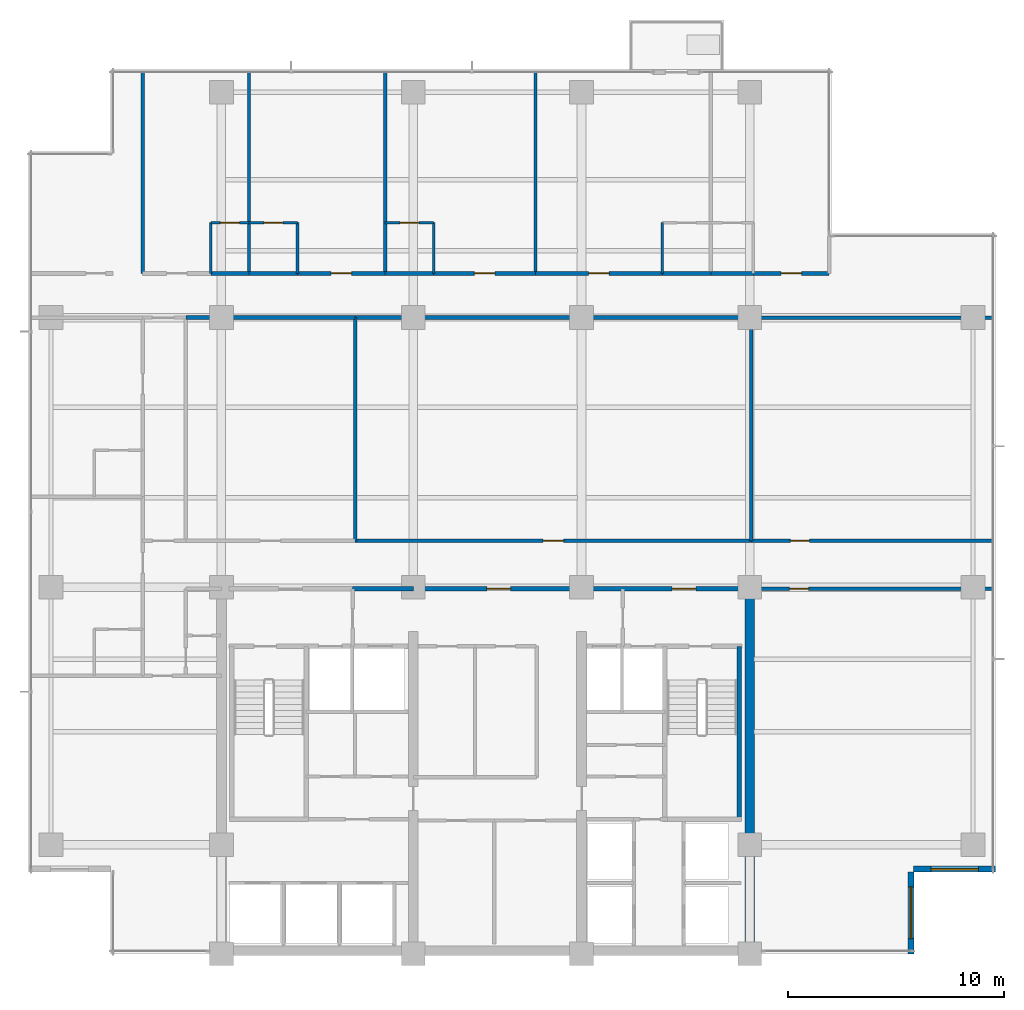
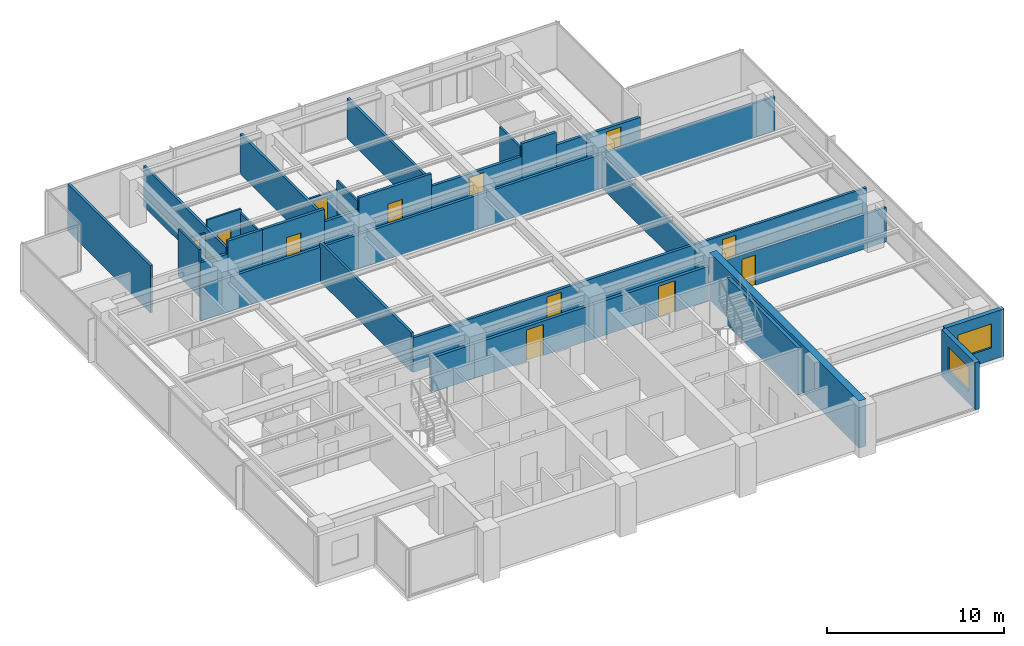
# One storey, part 9 of 15: 35 walls, 12 doors, 2 windows, 14 openings.
"""IFC4 building model written with IfcOpenShell, lengths in metres."""

from ifc_helpers import new_model, si_unit, direction, frame, frame_2d, origin, place, context, subcontext, project, spatial, rectangle, extrude, material, layer, layer_set, type_object, element, fill, save


model = new_model("IFC4")

# Units and contexts
model_context = context("Model", 3, precision=1e-05, world=origin(), true_north=direction((0.0, 1.0)))
body_context = subcontext(model_context, "Body", "Model", "MODEL_VIEW")
ifc_project = project(units=[si_unit("LENGTHUNIT", "METRE"), si_unit("AREAUNIT", "SQUARE_METRE"), si_unit("VOLUMEUNIT", "CUBIC_METRE"), si_unit("PLANEANGLEUNIT", "RADIAN"), si_unit("MASSUNIT", "GRAM", prefix="KILO")], contexts=[model_context])

# Site, building, storey
site_placement = place(None, origin())
site = spatial("IfcSite", under=ifc_project, at=site_placement, CompositionType="ELEMENT")
building_placement = place(site_placement, origin())
building = spatial("IfcBuilding", under=site, at=building_placement, Name="Qalmaran Belvedere Hotel", CompositionType="ELEMENT")
storey_placement = place(building_placement, frame((0.0, 0.0, 173.60009765625)))
storey = spatial("IfcBuildingStorey", under=building, at=storey_placement, Name="L44", CompositionType="ELEMENT", Elevation=173.60009765625)

# Wall
ifc_material_1 = material(Name="Concrete C50/60", Category="concrete")
ifc_layer_1 = layer(ifc_material_1, 0.449951171875, Name="Concrete C50/60")
ifc_layer_set_1 = layer_set([ifc_layer_1], Name="Concrete C50/60")
wall_type_1 = type_object("IfcWallType", Name="WL-CORE-450-C50", PredefinedType="SHEAR", material=ifc_layer_set_1)
wall_1_placement = place(storey_placement, frame((44.800048828125, 3.5, 0.0), z_axis=(0.0, 0.0, 1.0), x_axis=(0.0, 1.0, 0.0)))
element("IfcWall", 1, at=wall_1_placement, inside=storey, type_object=wall_type_1, Name="L44 East Core Shear Wall", PredefinedType="SHEAR", context=body_context, shape_type="SweptSolid", body=[
    extrude(rectangle(XDim=16.89990234375, YDim=0.449951171875, at=frame_2d((8.449951171875, 0.0))), origin(), (0.0, 0.0, 1.0), 3.25),
])

# Wall, opening, window
ifc_material_2 = material(Name="Anodised Bronze Cladding")
ifc_layer_2 = layer(ifc_material_2, 0.280029296875, Name="Anodised Bronze Cladding")
ifc_layer_set_2 = layer_set([ifc_layer_2], Name="Anodised Bronze Cladding")
wall_type_2 = type_object("IfcWallType", Name="WL-EXT-BRNZ-280", PredefinedType="SOLIDWALL", material=ifc_layer_set_2)
wall_2_placement = place(storey_placement, frame((52.280029296875, 3.5, 0.0), z_axis=(0.0, 0.0, 1.0), x_axis=(0.0, 1.0, 0.0)))
wall_2 = element("IfcWall", 2, at=wall_2_placement, inside=storey, type_object=wall_type_2, Name="L44 Corner Notch Wall 1", PredefinedType="SOLIDWALL", context=body_context, shape_type="SweptSolid", body=[
    extrude(rectangle(XDim=3.800048828125, YDim=0.280029296875, at=frame_2d((1.89990234375, 0.0))), origin(), (0.0, 0.0, 1.0), 3.25),
])
opening_1_placement = place(wall_2_placement, frame((0.699951171875, 0.0, 0.85009765625)))
opening_1 = element("IfcOpeningElement", 3, at=opening_1_placement, cuts=wall_2, Name="Opening W-N24", PredefinedType="OPENING", context=body_context, shape_type="SweptSolid", body=[
    extrude(rectangle(XDim=2.39990234375, YDim=1.64990234375, at=frame_2d((1.199951171875, 0.824951171875))), frame((0.0, 0.14990234375, 0.0), z_axis=(0.0, -1.0, 0.0), x_axis=(1.0, 0.0, 0.0)), (0.0, 0.0, 1.0), 0.300048828125),
])
ifc_material_3 = material(Name="Solar-Control Double Glazing", Category="glass")
window_type_1 = type_object("IfcWindowType", Name="WN-NTC-2400X1650", PartitioningType="SINGLE_PANEL", PredefinedType="WINDOW", material=ifc_material_3)
window_1_placement = place(opening_1_placement, origin())
window_1 = element("IfcWindow", 4, at=window_1_placement, inside=storey, type_object=window_type_1, Name="L44 Corner Notch Window 1", OverallHeight=1.64990234375, OverallWidth=2.39990234375, PartitioningType="SINGLE_PANEL", PredefinedType="WINDOW", context=body_context, shape_type="SweptSolid", body=[
    extrude(rectangle(XDim=2.39990234375, YDim=1.64990234375, at=frame_2d((1.199951171875, 0.824951171875))), frame((0.0, 0.030029296875, 0.0), z_axis=(0.0, -1.0, 0.0), x_axis=(1.0, 0.0, 0.0)), (0.0, 0.0, 1.0), 0.06005859375),
])
fill(opening_1, window_1)

wall_3_placement = place(storey_placement, frame((52.39990234375, 7.419921875, 0.0), z_axis=(0.0, 0.0, 1.0), x_axis=(1.0, 0.0, 0.0)))
wall_3 = element("IfcWall", 5, at=wall_3_placement, inside=storey, type_object=wall_type_2, Name="L44 Corner Notch Wall 2", PredefinedType="SOLIDWALL", context=body_context, shape_type="SweptSolid", body=[
    extrude(rectangle(XDim=3.800048828125, YDim=0.280029296875, at=frame_2d((1.89990234375, 0.0))), origin(), (0.0, 0.0, 1.0), 3.25),
])
opening_2_placement = place(wall_3_placement, frame((0.800048828125, 0.0, 0.85009765625)))
opening_2 = element("IfcOpeningElement", 6, at=opening_2_placement, cuts=wall_3, Name="Opening W-N22", PredefinedType="OPENING", context=body_context, shape_type="SweptSolid", body=[
    extrude(rectangle(XDim=2.199951171875, YDim=1.64990234375, at=frame_2d((1.10009765625, 0.824951171875))), frame((0.0, 0.14990234375, 0.0), z_axis=(0.0, -1.0, 0.0), x_axis=(1.0, 0.0, 0.0)), (0.0, 0.0, 1.0), 0.300048828125),
])
window_type_2 = type_object("IfcWindowType", Name="WN-NTC-2200X1650", PartitioningType="SINGLE_PANEL", PredefinedType="WINDOW", material=ifc_material_3)
window_2_placement = place(opening_2_placement, origin())
window_2 = element("IfcWindow", 7, at=window_2_placement, inside=storey, type_object=window_type_2, Name="L44 Corner Notch Window 2", OverallHeight=1.64990234375, OverallWidth=2.199951171875, PartitioningType="SINGLE_PANEL", PredefinedType="WINDOW", context=body_context, shape_type="SweptSolid", body=[
    extrude(rectangle(XDim=2.199951171875, YDim=1.64990234375, at=frame_2d((1.10009765625, 0.824951171875))), frame((0.0, 0.030029296875, 0.0), z_axis=(0.0, -1.0, 0.0), x_axis=(1.0, 0.0, 0.0)), (0.0, 0.0, 1.0), 0.06005859375),
])
fill(opening_2, window_2)

# Wall, opening, door
ifc_material_4 = material(Name="Moisture-Resistant Gypsum")
ifc_layer_3 = layer(ifc_material_4, 0.1201171875, Name="Moisture-Resistant Gypsum")
ifc_layer_set_3 = layer_set([ifc_layer_3], Name="Moisture-Resistant Gypsum")
wall_type_3 = type_object("IfcWallType", Name="WL-INT-120-BATH", PredefinedType="PARTITIONING", material=ifc_layer_set_3)
wall_4_placement = place(storey_placement, frame((19.809814453125, 37.39990234375, 0.0), z_axis=(0.0, 0.0, 1.0), x_axis=(1.0, 0.0, 0.0)))
wall_4 = element("IfcWall", 8, at=wall_4_placement, inside=storey, type_object=wall_type_3, Name="L44 Partition WL-L44-NBN00", PredefinedType="PARTITIONING", context=body_context, shape_type="SweptSolid", body=[
    extrude(rectangle(XDim=1.77001953125, YDim=0.1201171875, at=frame_2d((0.885009765625, 0.0))), origin(), (0.0, 0.0, 1.0), 2.3798828125),
])
opening_3_placement = place(wall_4_placement, frame((1.324951171875, 0.0, 0.0), z_axis=(0.0, 0.0, 1.0), x_axis=(-1.0, 0.0, 0.0)))
opening_3 = element("IfcOpeningElement", 9, at=opening_3_placement, cuts=wall_4, Name="Opening D-BATH", PredefinedType="OPENING", context=body_context, shape_type="SweptSolid", body=[
    extrude(rectangle(XDim=0.8798828125, YDim=2.080078125, at=frame_2d((0.43994140625, 1.0400390625))), frame((0.0, 0.070068359375, 0.0), z_axis=(0.0, -1.0, 0.0), x_axis=(1.0, 0.0, 0.0)), (0.0, 0.0, 1.0), 0.14013671875),
])
ifc_material_5 = material(Name="Engineered Oak Veneer")
door_type_1 = type_object("IfcDoorType", Name="DR-INT-BATH-880X2080", OperationType="NOTDEFINED", PredefinedType="DOOR", material=ifc_material_5)
door_1_placement = place(opening_3_placement, origin())
door_1 = element("IfcDoor", 10, at=door_1_placement, inside=storey, type_object=door_type_1, Name="L44 Ensuite Bathroom Door N01", OperationType="SINGLE_SWING_RIGHT", OverallHeight=2.080078125, OverallWidth=0.8798828125, PredefinedType="DOOR", context=body_context, shape_type="SweptSolid", body=[
    extrude(rectangle(XDim=0.8798828125, YDim=2.080078125, at=frame_2d((0.43994140625, 1.0400390625))), frame((0.0, 0.02490234375, 0.0), z_axis=(0.0, -1.0, 0.0), x_axis=(1.0, 0.0, 0.0)), (0.0, 0.0, 1.0), 0.050048828125),
])
fill(opening_3, door_1)

# Wall
wall_5_placement = place(storey_placement, frame((19.809814453125, 35.050048828125, 0.0), z_axis=(0.0, 0.0, 1.0), x_axis=(0.0, 1.0, 0.0)))
element("IfcWall", 11, at=wall_5_placement, inside=storey, type_object=wall_type_3, Name="L44 Partition WL-L44-NBS00", PredefinedType="PARTITIONING", context=body_context, shape_type="SweptSolid", body=[
    extrude(rectangle(XDim=2.349853515625, YDim=0.1201171875, at=frame_2d((1.1748046875, 0.0))), origin(), (0.0, 0.0, 1.0), 3.25),
])

# Wall, opening, door
wall_6_placement = place(storey_placement, frame((21.579833984375, 37.39990234375, 0.0), z_axis=(0.0, 0.0, 1.0), x_axis=(1.0, 0.0, 0.0)))
wall_6 = element("IfcWall", 12, at=wall_6_placement, inside=storey, type_object=wall_type_3, Name="L44 Partition WL-L44-NBN01", PredefinedType="PARTITIONING", context=body_context, shape_type="SweptSolid", body=[
    extrude(rectangle(XDim=2.25, YDim=0.1201171875, at=frame_2d((1.125, 0.0))), origin(), (0.0, 0.0, 1.0), 3.25),
])
opening_4_placement = place(wall_6_placement, frame((1.56494140625, 0.0, 0.0), z_axis=(0.0, 0.0, 1.0), x_axis=(-1.0, 0.0, 0.0)))
opening_4 = element("IfcOpeningElement", 13, at=opening_4_placement, cuts=wall_6, Name="Opening D-BATH", PredefinedType="OPENING", context=body_context, shape_type="SweptSolid", body=[
    extrude(rectangle(XDim=0.8798828125, YDim=2.080078125, at=frame_2d((0.43994140625, 1.0400390625))), frame((0.0, 0.070068359375, 0.0), z_axis=(0.0, -1.0, 0.0), x_axis=(1.0, 0.0, 0.0)), (0.0, 0.0, 1.0), 0.14013671875),
])
door_2_placement = place(opening_4_placement, origin())
door_2 = element("IfcDoor", 14, at=door_2_placement, inside=storey, type_object=door_type_1, Name="L44 Ensuite Bathroom Door N02", OperationType="SINGLE_SWING_RIGHT", OverallHeight=2.080078125, OverallWidth=0.8798828125, PredefinedType="DOOR", context=body_context, shape_type="SweptSolid", body=[
    extrude(rectangle(XDim=0.8798828125, YDim=2.080078125, at=frame_2d((0.43994140625, 1.0400390625))), frame((0.0, 0.02490234375, 0.0), z_axis=(0.0, -1.0, 0.0), x_axis=(1.0, 0.0, 0.0)), (0.0, 0.0, 1.0), 0.050048828125),
])
fill(opening_4, door_2)

# Wall
wall_7_placement = place(storey_placement, frame((23.829833984375, 35.050048828125, 0.0), z_axis=(0.0, 0.0, 1.0), x_axis=(0.0, 1.0, 0.0)))
element("IfcWall", 15, at=wall_7_placement, inside=storey, type_object=wall_type_3, Name="L44 Partition WL-L44-NBS01", PredefinedType="PARTITIONING", context=body_context, shape_type="SweptSolid", body=[
    extrude(rectangle(XDim=2.349853515625, YDim=0.1201171875, at=frame_2d((1.1748046875, 0.0))), origin(), (0.0, 0.0, 1.0), 2.98779296875),
])

# Wall, opening, door
wall_8_placement = place(storey_placement, frame((27.889892578125, 37.39990234375, 0.0), z_axis=(0.0, 0.0, 1.0), x_axis=(1.0, 0.0, 0.0)))
wall_8 = element("IfcWall", 16, at=wall_8_placement, inside=storey, type_object=wall_type_3, Name="L44 Partition WL-L44-NBN02", PredefinedType="PARTITIONING", context=body_context, shape_type="SweptSolid", body=[
    extrude(rectangle(XDim=2.25, YDim=0.1201171875, at=frame_2d((1.125, 0.0))), origin(), (0.0, 0.0, 1.0), 2.3798828125),
])
opening_5_placement = place(wall_8_placement, frame((1.56494140625, 0.0, 0.0), z_axis=(0.0, 0.0, 1.0), x_axis=(-1.0, 0.0, 0.0)))
opening_5 = element("IfcOpeningElement", 17, at=opening_5_placement, cuts=wall_8, Name="Opening D-BATH", PredefinedType="OPENING", context=body_context, shape_type="SweptSolid", body=[
    extrude(rectangle(XDim=0.8798828125, YDim=2.080078125, at=frame_2d((0.43994140625, 1.0400390625))), frame((0.0, 0.070068359375, 0.0), z_axis=(0.0, -1.0, 0.0), x_axis=(1.0, 0.0, 0.0)), (0.0, 0.0, 1.0), 0.14013671875),
])
door_3_placement = place(opening_5_placement, origin())
door_3 = element("IfcDoor", 18, at=door_3_placement, inside=storey, type_object=door_type_1, Name="L44 Ensuite Bathroom Door N03", OperationType="SINGLE_SWING_RIGHT", OverallHeight=2.080078125, OverallWidth=0.8798828125, PredefinedType="DOOR", context=body_context, shape_type="SweptSolid", body=[
    extrude(rectangle(XDim=0.8798828125, YDim=2.080078125, at=frame_2d((0.43994140625, 1.0400390625))), frame((0.0, 0.02490234375, 0.0), z_axis=(0.0, -1.0, 0.0), x_axis=(1.0, 0.0, 0.0)), (0.0, 0.0, 1.0), 0.050048828125),
])
fill(opening_5, door_3)

# Walls
for number, where, z_axis, x_axis, name in (
    (19, (30.139892578125, 35.050048828125, 0.0), (0.0, 0.0, 1.0), (0.0, 1.0, 0.0), "L44 Partition WL-L44-NBS02"),
    (20, (40.75, 35.050048828125, 0.0), (0.0, 0.0, 1.0), (0.0, 1.0, 0.0), "L44 Partition WL-L44-NBS03"),
):
    element("IfcWall", number, at=place(storey_placement, frame(where, z_axis=z_axis, x_axis=x_axis)), inside=storey, type_object=wall_type_3, Name=name, PredefinedType="PARTITIONING", context=body_context, shape_type="SweptSolid", body=[
        extrude(rectangle(XDim=2.349853515625, YDim=0.1201171875, at=frame_2d((1.1748046875, 0.0))), origin(), (0.0, 0.0, 1.0), 2.98779296875),
    ])

# Wall, opening, door
ifc_material_6 = material(Name="Gypsum Stud Partition")
ifc_layer_4 = layer(ifc_material_6, 0.159912109375, Name="Gypsum Stud Partition")
ifc_layer_set_4 = layer_set([ifc_layer_4], Name="Gypsum Stud Partition")
wall_type_4 = type_object("IfcWallType", Name="WL-INT-160-EI60", PredefinedType="PARTITIONING", material=ifc_layer_set_4)
wall_9_placement = place(storey_placement, frame((44.800048828125, 20.419921875, 0.0), z_axis=(0.0, 0.0, 1.0), x_axis=(1.0, 0.0, 0.0)))
wall_9 = element("IfcWall", 21, at=wall_9_placement, inside=storey, type_object=wall_type_4, Name="L44 Partition WL-L44-ECE1S", PredefinedType="PARTITIONING", context=body_context, shape_type="SweptSolid", body=[
    extrude(rectangle(XDim=11.280029296875, YDim=0.159912109375, at=frame_2d((5.64013671875, 0.0))), origin(), (0.0, 0.0, 1.0), 2.3798828125),
])
opening_6_placement = place(wall_9_placement, frame((2.72998046875, 0.0, 0.0), z_axis=(0.0, 0.0, 1.0), x_axis=(-1.0, 0.0, 0.0)))
opening_6 = element("IfcOpeningElement", 22, at=opening_6_placement, cuts=wall_9, Name="Opening FD60B", PredefinedType="OPENING", context=body_context, shape_type="SweptSolid", body=[
    extrude(rectangle(XDim=0.8798828125, YDim=2.080078125, at=frame_2d((0.43994140625, 1.0400390625))), frame((0.0, 0.08984375, 0.0), z_axis=(0.0, -1.0, 0.0), x_axis=(1.0, 0.0, 0.0)), (0.0, 0.0, 1.0), 0.179931640625),
])
ifc_material_7 = material(Name="Steel S355JR", Category="steel")
door_type_2 = type_object("IfcDoorType", Name="DR-FD60B-880X2080", OperationType="NOTDEFINED", PredefinedType="DOOR", material=ifc_material_7)
door_4_placement = place(opening_6_placement, origin())
door_4 = element("IfcDoor", 23, at=door_4_placement, inside=storey, type_object=door_type_2, Name="L44 East Library Door", OperationType="SINGLE_SWING_RIGHT", OverallHeight=2.080078125, OverallWidth=0.8798828125, PredefinedType="DOOR", context=body_context, shape_type="SweptSolid", body=[
    extrude(rectangle(XDim=0.8798828125, YDim=2.080078125, at=frame_2d((0.43994140625, 1.0400390625))), frame((0.0, 0.02490234375, 0.0), z_axis=(0.0, -1.0, 0.0), x_axis=(1.0, 0.0, 0.0)), (0.0, 0.0, 1.0), 0.050048828125),
])
fill(opening_6, door_4)

wall_10_placement = place(storey_placement, frame((44.8798828125, 22.64990234375, 0.0), z_axis=(0.0, 0.0, 1.0), x_axis=(1.0, 0.0, 0.0)))
wall_10 = element("IfcWall", 24, at=wall_10_placement, inside=storey, type_object=wall_type_4, Name="L44 Partition WL-L44-ECE2N", PredefinedType="PARTITIONING", context=body_context, shape_type="SweptSolid", body=[
    extrude(rectangle(XDim=11.2001953125, YDim=0.159912109375, at=frame_2d((5.60009765625, 0.0))), origin(), (0.0, 0.0, 1.0), 2.3798828125),
])
opening_7_placement = place(wall_10_placement, frame((1.800048828125, 0.0, 0.0)))
opening_7 = element("IfcOpeningElement", 25, at=opening_7_placement, cuts=wall_10, Name="Opening FD60B", PredefinedType="OPENING", context=body_context, shape_type="SweptSolid", body=[
    extrude(rectangle(XDim=0.8798828125, YDim=2.080078125, at=frame_2d((0.43994140625, 1.0400390625))), frame((0.0, 0.08984375, 0.0), z_axis=(0.0, -1.0, 0.0), x_axis=(1.0, 0.0, 0.0)), (0.0, 0.0, 1.0), 0.179931640625),
])
door_5_placement = place(opening_7_placement, origin())
door_5 = element("IfcDoor", 26, at=door_5_placement, inside=storey, type_object=door_type_2, Name="L44 East Fitness Door", OperationType="SINGLE_SWING_LEFT", OverallHeight=2.080078125, OverallWidth=0.8798828125, PredefinedType="DOOR", context=body_context, shape_type="SweptSolid", body=[
    extrude(rectangle(XDim=0.8798828125, YDim=2.080078125, at=frame_2d((0.43994140625, 1.0400390625))), frame((0.0, 0.02490234375, 0.0), z_axis=(0.0, -1.0, 0.0), x_axis=(1.0, 0.0, 0.0)), (0.0, 0.0, 1.0), 0.050048828125),
])
fill(opening_7, door_5)

# Walls
wall_11_placement = place(storey_placement, frame((44.8798828125, 33.0, 0.0), z_axis=(0.0, 0.0, 1.0), x_axis=(1.0, 0.0, 0.0)))
element("IfcWall", 27, at=wall_11_placement, inside=storey, type_object=wall_type_4, Name="L44 Partition WL-L44-ECEN", PredefinedType="PARTITIONING", context=body_context, shape_type="SweptSolid", body=[
    extrude(rectangle(XDim=11.2001953125, YDim=0.159912109375, at=frame_2d((5.60009765625, 0.0))), origin(), (0.0, 0.0, 1.0), 2.3798828125),
])
wall_12_placement = place(storey_placement, frame((26.5, 22.64990234375, 0.0), z_axis=(0.0, 0.0, 1.0), x_axis=(0.0, 1.0, 0.0)))
element("IfcWall", 28, at=wall_12_placement, inside=storey, type_object=wall_type_4, Name="L44 Partition WL-L44-MIDVR1", PredefinedType="PARTITIONING", context=body_context, shape_type="SweptSolid", body=[
    extrude(rectangle(XDim=10.35009765625, YDim=0.159912109375, at=frame_2d((5.175048828125, 0.0))), origin(), (0.0, 0.0, 1.0), 2.69189453125),
])
wall_13_placement = place(storey_placement, frame((44.8798828125, 22.64990234375, 0.0), z_axis=(0.0, 0.0, 1.0), x_axis=(0.0, 1.0, 0.0)))
element("IfcWall", 29, at=wall_13_placement, inside=storey, type_object=wall_type_4, Name="L44 Partition WL-L44-MIDVR2", PredefinedType="PARTITIONING", context=body_context, shape_type="SweptSolid", body=[
    extrude(rectangle(XDim=10.35009765625, YDim=0.159912109375, at=frame_2d((5.175048828125, 0.0))), origin(), (0.0, 0.0, 1.0), 2.3798828125),
])
wall_14_placement = place(storey_placement, frame((16.64990234375, 35.050048828125, 0.0), z_axis=(0.0, 0.0, 1.0), x_axis=(0.0, 1.0, 0.0)))
element("IfcWall", 30, at=wall_14_placement, inside=storey, type_object=wall_type_4, Name="L44 Partition WL-L44-NUL", PredefinedType="PARTITIONING", context=body_context, shape_type="SweptSolid", body=[
    extrude(rectangle(XDim=9.329833984375, YDim=0.159912109375, at=frame_2d((4.6650390625, 0.0))), origin(), (0.0, 0.0, 1.0), 3.25),
])
for number, where, z_axis, x_axis, name in (
    (31, (21.579833984375, 35.050048828125, 0.0), (0.0, 0.0, 1.0), (0.0, 1.0, 0.0), "L44 Partition WL-L44-NUR00"),
    (32, (27.889892578125, 35.050048828125, 0.0), (0.0, 0.0, 1.0), (0.0, 1.0, 0.0), "L44 Partition WL-L44-NUR01"),
    (33, (34.864013671875, 35.050048828125, 0.0), (0.0, 0.0, 1.0), (0.0, 1.0, 0.0), "L44 Partition WL-L44-NUR02"),
):
    element("IfcWall", number, at=place(storey_placement, frame(where, z_axis=z_axis, x_axis=x_axis)), inside=storey, type_object=wall_type_4, Name=name, PredefinedType="PARTITIONING", context=body_context, shape_type="SweptSolid", body=[
        extrude(rectangle(XDim=9.329833984375, YDim=0.159912109375, at=frame_2d((4.6650390625, 0.0))), origin(), (0.0, 0.0, 1.0), 2.77197265625),
    ])
ifc_layer_5 = layer(ifc_material_6, 0.179931640625, Name="Gypsum Stud Partition")
ifc_layer_set_5 = layer_set([ifc_layer_5], Name="Gypsum Stud Partition")
wall_type_5 = type_object("IfcWallType", Name="WL-INT-180-EI60", PredefinedType="PARTITIONING", material=ifc_layer_set_5)
wall_15_placement = place(storey_placement, frame((18.64990234375, 33.0, 0.0), z_axis=(0.0, 0.0, 1.0), x_axis=(1.0, 0.0, 0.0)))
element("IfcWall", 34, at=wall_15_placement, inside=storey, type_object=wall_type_5, Name="L44 Partition WL-L44-MIDO1", PredefinedType="PARTITIONING", context=body_context, shape_type="SweptSolid", body=[
    extrude(rectangle(XDim=7.85009765625, YDim=0.179931640625, at=frame_2d((3.925048828125, 0.0))), origin(), (0.0, 0.0, 1.0), 2.3798828125),
])

# Wall, opening, door
wall_16_placement = place(storey_placement, frame((26.5, 22.64990234375, 0.0), z_axis=(0.0, 0.0, 1.0), x_axis=(1.0, 0.0, 0.0)))
wall_16 = element("IfcWall", 35, at=wall_16_placement, inside=storey, type_object=wall_type_5, Name="L44 Partition WL-L44-MIDD2", PredefinedType="PARTITIONING", context=body_context, shape_type="SweptSolid", body=[
    extrude(rectangle(XDim=18.3798828125, YDim=0.179931640625, at=frame_2d((9.18994140625, 0.0))), origin(), (0.0, 0.0, 1.0), 2.3798828125),
])
opening_8_placement = place(wall_16_placement, frame((8.715087890625, 0.0, 0.0)))
opening_8 = element("IfcOpeningElement", 36, at=opening_8_placement, cuts=wall_16, Name="Opening FD60", PredefinedType="OPENING", context=body_context, shape_type="SweptSolid", body=[
    extrude(rectangle(XDim=0.949951171875, YDim=2.14990234375, at=frame_2d((0.47509765625, 1.074951171875))), frame((0.0, 0.10009765625, 0.0), z_axis=(0.0, -1.0, 0.0), x_axis=(1.0, 0.0, 0.0)), (0.0, 0.0, 1.0), 0.199951171875),
])
door_type_3 = type_object("IfcDoorType", Name="DR-FD60-950X2150", OperationType="NOTDEFINED", PredefinedType="DOOR", material=ifc_material_5)
door_6_placement = place(opening_8_placement, origin())
door_6 = element("IfcDoor", 37, at=door_6_placement, inside=storey, type_object=door_type_3, Name="L44 Diplomatic Lounge Door", OperationType="SINGLE_SWING_LEFT", OverallHeight=2.14990234375, OverallWidth=0.949951171875, PredefinedType="DOOR", context=body_context, shape_type="SweptSolid", body=[
    extrude(rectangle(XDim=0.949951171875, YDim=2.14990234375, at=frame_2d((0.47509765625, 1.074951171875))), frame((0.0, 0.02490234375, 0.0), z_axis=(0.0, -1.0, 0.0), x_axis=(1.0, 0.0, 0.0)), (0.0, 0.0, 1.0), 0.050048828125),
])
fill(opening_8, door_6)

# Walls
wall_17_placement = place(storey_placement, frame((26.5, 33.0, 0.0), z_axis=(0.0, 0.0, 1.0), x_axis=(1.0, 0.0, 0.0)))
element("IfcWall", 38, at=wall_17_placement, inside=storey, type_object=wall_type_5, Name="L44 Partition WL-L44-MIDO2", PredefinedType="PARTITIONING", context=body_context, shape_type="SweptSolid", body=[
    extrude(rectangle(XDim=18.3798828125, YDim=0.179931640625, at=frame_2d((9.18994140625, 0.0))), origin(), (0.0, 0.0, 1.0), 2.3798828125),
])
wall_18_placement = place(storey_placement, frame((19.809814453125, 35.050048828125, 0.0), z_axis=(0.0, 0.0, 1.0), x_axis=(1.0, 0.0, 0.0)))
element("IfcWall", 39, at=wall_18_placement, inside=storey, type_object=wall_type_5, Name="L44 Partition WL-L44-NBC00", PredefinedType="PARTITIONING", context=body_context, shape_type="SweptSolid", body=[
    extrude(rectangle(XDim=1.77001953125, YDim=0.179931640625, at=frame_2d((0.885009765625, 0.0))), origin(), (0.0, 0.0, 1.0), 2.3798828125),
])
wall_19_placement = place(storey_placement, frame((21.579833984375, 35.050048828125, 0.0), z_axis=(0.0, 0.0, 1.0), x_axis=(1.0, 0.0, 0.0)))
element("IfcWall", 40, at=wall_19_placement, inside=storey, type_object=wall_type_5, Name="L44 Partition WL-L44-NBC01", PredefinedType="PARTITIONING", context=body_context, shape_type="SweptSolid", body=[
    extrude(rectangle(XDim=2.25, YDim=0.179931640625, at=frame_2d((1.125, 0.0))), origin(), (0.0, 0.0, 1.0), 3.25),
])

# Wall, opening, door
wall_20_placement = place(storey_placement, frame((23.829833984375, 35.050048828125, 0.0), z_axis=(0.0, 0.0, 1.0), x_axis=(1.0, 0.0, 0.0)))
wall_20 = element("IfcWall", 41, at=wall_20_placement, inside=storey, type_object=wall_type_5, Name="L44 Partition WL-L44-NEC01", PredefinedType="PARTITIONING", context=body_context, shape_type="SweptSolid", body=[
    extrude(rectangle(XDim=4.06005859375, YDim=0.179931640625, at=frame_2d((2.030029296875, 0.0))), origin(), (0.0, 0.0, 1.0), 3.25),
])
opening_9_placement = place(wall_20_placement, frame((1.554931640625, 0.0, 0.0)))
opening_9 = element("IfcOpeningElement", 42, at=opening_9_placement, cuts=wall_20, Name="Opening FD60", PredefinedType="OPENING", context=body_context, shape_type="SweptSolid", body=[
    extrude(rectangle(XDim=0.949951171875, YDim=2.14990234375, at=frame_2d((0.47509765625, 1.074951171875))), frame((0.0, 0.10009765625, 0.0), z_axis=(0.0, -1.0, 0.0), x_axis=(1.0, 0.0, 0.0)), (0.0, 0.0, 1.0), 0.199951171875),
])
door_7_placement = place(opening_9_placement, origin())
door_7 = element("IfcDoor", 43, at=door_7_placement, inside=storey, type_object=door_type_3, Name="L44 Guest Entrance Door N02", OperationType="SINGLE_SWING_LEFT", OverallHeight=2.14990234375, OverallWidth=0.949951171875, PredefinedType="DOOR", context=body_context, shape_type="SweptSolid", body=[
    extrude(rectangle(XDim=0.949951171875, YDim=2.14990234375, at=frame_2d((0.47509765625, 1.074951171875))), frame((0.0, 0.02490234375, 0.0), z_axis=(0.0, -1.0, 0.0), x_axis=(1.0, 0.0, 0.0)), (0.0, 0.0, 1.0), 0.050048828125),
])
fill(opening_9, door_7)

# Wall
wall_21_placement = place(storey_placement, frame((27.889892578125, 35.050048828125, 0.0), z_axis=(0.0, 0.0, 1.0), x_axis=(1.0, 0.0, 0.0)))
element("IfcWall", 44, at=wall_21_placement, inside=storey, type_object=wall_type_5, Name="L44 Partition WL-L44-NBC02", PredefinedType="PARTITIONING", context=body_context, shape_type="SweptSolid", body=[
    extrude(rectangle(XDim=2.25, YDim=0.179931640625, at=frame_2d((1.125, 0.0))), origin(), (0.0, 0.0, 1.0), 2.3798828125),
])

# Wall, opening, door
wall_22_placement = place(storey_placement, frame((30.139892578125, 35.050048828125, 0.0), z_axis=(0.0, 0.0, 1.0), x_axis=(1.0, 0.0, 0.0)))
wall_22 = element("IfcWall", 45, at=wall_22_placement, inside=storey, type_object=wall_type_5, Name="L44 Partition WL-L44-NEC02", PredefinedType="PARTITIONING", context=body_context, shape_type="SweptSolid", body=[
    extrude(rectangle(XDim=4.72412109375, YDim=0.179931640625, at=frame_2d((2.362060546875, 0.0))), origin(), (0.0, 0.0, 1.0), 3.25),
])
opening_10_placement = place(wall_22_placement, frame((1.886962890625, 0.0, 0.0)))
opening_10 = element("IfcOpeningElement", 46, at=opening_10_placement, cuts=wall_22, Name="Opening FD60", PredefinedType="OPENING", context=body_context, shape_type="SweptSolid", body=[
    extrude(rectangle(XDim=0.949951171875, YDim=2.14990234375, at=frame_2d((0.47509765625, 1.074951171875))), frame((0.0, 0.10009765625, 0.0), z_axis=(0.0, -1.0, 0.0), x_axis=(1.0, 0.0, 0.0)), (0.0, 0.0, 1.0), 0.199951171875),
])
door_8_placement = place(opening_10_placement, origin())
door_8 = element("IfcDoor", 47, at=door_8_placement, inside=storey, type_object=door_type_3, Name="L44 Guest Entrance Door N03", OperationType="SINGLE_SWING_LEFT", OverallHeight=2.14990234375, OverallWidth=0.949951171875, PredefinedType="DOOR", context=body_context, shape_type="SweptSolid", body=[
    extrude(rectangle(XDim=0.949951171875, YDim=2.14990234375, at=frame_2d((0.47509765625, 1.074951171875))), frame((0.0, 0.02490234375, 0.0), z_axis=(0.0, -1.0, 0.0), x_axis=(1.0, 0.0, 0.0)), (0.0, 0.0, 1.0), 0.050048828125),
])
fill(opening_10, door_8)

# Wall
wall_23_placement = place(storey_placement, frame((40.75, 35.050048828125, 0.0), z_axis=(0.0, 0.0, 1.0), x_axis=(1.0, 0.0, 0.0)))
element("IfcWall", 48, at=wall_23_placement, inside=storey, type_object=wall_type_5, Name="L44 Partition WL-L44-NBC03", PredefinedType="PARTITIONING", context=body_context, shape_type="SweptSolid", body=[
    extrude(rectangle(XDim=2.25, YDim=0.179931640625, at=frame_2d((1.125, 0.0))), origin(), (0.0, 0.0, 1.0), 3.25),
])

# Wall, opening, door
wall_24_placement = place(storey_placement, frame((34.864013671875, 35.050048828125, 0.0), z_axis=(0.0, 0.0, 1.0), x_axis=(1.0, 0.0, 0.0)))
wall_24 = element("IfcWall", 49, at=wall_24_placement, inside=storey, type_object=wall_type_5, Name="L44 Partition WL-L44-NEC03", PredefinedType="PARTITIONING", context=body_context, shape_type="SweptSolid", body=[
    extrude(rectangle(XDim=5.885986328125, YDim=0.179931640625, at=frame_2d((2.94287109375, 0.0))), origin(), (0.0, 0.0, 1.0), 2.3798828125),
])
opening_11_placement = place(wall_24_placement, frame((2.468017578125, 0.0, 0.0)))
opening_11 = element("IfcOpeningElement", 50, at=opening_11_placement, cuts=wall_24, Name="Opening FD60", PredefinedType="OPENING", context=body_context, shape_type="SweptSolid", body=[
    extrude(rectangle(XDim=0.949951171875, YDim=2.14990234375, at=frame_2d((0.47509765625, 1.074951171875))), frame((0.0, 0.10009765625, 0.0), z_axis=(0.0, -1.0, 0.0), x_axis=(1.0, 0.0, 0.0)), (0.0, 0.0, 1.0), 0.199951171875),
])
door_9_placement = place(opening_11_placement, origin())
door_9 = element("IfcDoor", 51, at=door_9_placement, inside=storey, type_object=door_type_3, Name="L44 Guest Entrance Door N04", OperationType="SINGLE_SWING_LEFT", OverallHeight=2.14990234375, OverallWidth=0.949951171875, PredefinedType="DOOR", context=body_context, shape_type="SweptSolid", body=[
    extrude(rectangle(XDim=0.949951171875, YDim=2.14990234375, at=frame_2d((0.47509765625, 1.074951171875))), frame((0.0, 0.02490234375, 0.0), z_axis=(0.0, -1.0, 0.0), x_axis=(1.0, 0.0, 0.0)), (0.0, 0.0, 1.0), 0.050048828125),
])
fill(opening_11, door_9)

# Wall
wall_25_placement = place(storey_placement, frame((43.0, 35.050048828125, 0.0), z_axis=(0.0, 0.0, 1.0), x_axis=(1.0, 0.0, 0.0)))
element("IfcWall", 52, at=wall_25_placement, inside=storey, type_object=wall_type_5, Name="L44 Partition WL-L44-NBC04", PredefinedType="PARTITIONING", context=body_context, shape_type="SweptSolid", body=[
    extrude(rectangle(XDim=1.969970703125, YDim=0.179931640625, at=frame_2d((0.98486328125, 0.0))), origin(), (0.0, 0.0, 1.0), 2.3798828125),
])

# Wall, opening, door
wall_26_placement = place(storey_placement, frame((44.969970703125, 35.050048828125, 0.0), z_axis=(0.0, 0.0, 1.0), x_axis=(1.0, 0.0, 0.0)))
wall_26 = element("IfcWall", 53, at=wall_26_placement, inside=storey, type_object=wall_type_5, Name="L44 Partition WL-L44-NEC04", PredefinedType="PARTITIONING", context=body_context, shape_type="SweptSolid", body=[
    extrude(rectangle(XDim=3.510009765625, YDim=0.179931640625, at=frame_2d((1.7548828125, 0.0))), origin(), (0.0, 0.0, 1.0), 2.3798828125),
])
opening_12_placement = place(wall_26_placement, frame((1.280029296875, 0.0, 0.0)))
opening_12 = element("IfcOpeningElement", 54, at=opening_12_placement, cuts=wall_26, Name="Opening FD60", PredefinedType="OPENING", context=body_context, shape_type="SweptSolid", body=[
    extrude(rectangle(XDim=0.949951171875, YDim=2.14990234375, at=frame_2d((0.47509765625, 1.074951171875))), frame((0.0, 0.10009765625, 0.0), z_axis=(0.0, -1.0, 0.0), x_axis=(1.0, 0.0, 0.0)), (0.0, 0.0, 1.0), 0.199951171875),
])
door_10_placement = place(opening_12_placement, origin())
door_10 = element("IfcDoor", 55, at=door_10_placement, inside=storey, type_object=door_type_3, Name="L44 Guest Entrance Door N05", OperationType="SINGLE_SWING_LEFT", OverallHeight=2.14990234375, OverallWidth=0.949951171875, PredefinedType="DOOR", context=body_context, shape_type="SweptSolid", body=[
    extrude(rectangle(XDim=0.949951171875, YDim=2.14990234375, at=frame_2d((0.47509765625, 1.074951171875))), frame((0.0, 0.02490234375, 0.0), z_axis=(0.0, -1.0, 0.0), x_axis=(1.0, 0.0, 0.0)), (0.0, 0.0, 1.0), 0.050048828125),
])
fill(opening_12, door_10)

# Wall
ifc_material_8 = material(Name="Concrete C30/37 Blockwork", Category="masonry")
ifc_layer_6 = layer(ifc_material_8, 0.199951171875, Name="Concrete C30/37 Blockwork")
ifc_layer_set_6 = layer_set([ifc_layer_6], Name="Concrete C30/37 Blockwork")
wall_type_6 = type_object("IfcWallType", Name="WL-INT-200-EI120", PredefinedType="PARTITIONING", material=ifc_layer_set_6)
wall_27_placement = place(storey_placement, frame((26.3798828125, 20.419921875, 0.0), z_axis=(0.0, 0.0, 1.0), x_axis=(1.0, 0.0, 0.0)))
element("IfcWall", 56, at=wall_27_placement, inside=storey, type_object=wall_type_6, Name="L44 Partition WL-CN1B-L44", PredefinedType="PARTITIONING", context=body_context, shape_type="SweptSolid", body=[
    extrude(rectangle(XDim=2.820068359375, YDim=0.199951171875, at=frame_2d((1.41015625, 0.0))), origin(), (0.0, 0.0, 1.0), 2.3798828125),
])

# Wall, opening, door
wall_28_placement = place(storey_placement, frame((29.199951171875, 20.419921875, 0.0), z_axis=(0.0, 0.0, 1.0), x_axis=(1.0, 0.0, 0.0)))
wall_28 = element("IfcWall", 57, at=wall_28_placement, inside=storey, type_object=wall_type_6, Name="L44 Partition WL-CN2-L44", PredefinedType="PARTITIONING", context=body_context, shape_type="SweptSolid", body=[
    extrude(rectangle(XDim=7.800048828125, YDim=0.199951171875, at=frame_2d((3.89990234375, 0.0))), origin(), (0.0, 0.0, 1.0), 2.3798828125),
])
opening_13_placement = place(wall_28_placement, frame((3.4091796875, 0.0, 0.0)))
opening_13 = element("IfcOpeningElement", 58, at=opening_13_placement, cuts=wall_28, Name="Opening FD90", PredefinedType="OPENING", context=body_context, shape_type="SweptSolid", body=[
    extrude(rectangle(XDim=1.10009765625, YDim=2.14990234375, at=frame_2d((0.550048828125, 1.074951171875))), frame((0.0, 0.10986328125, 0.0), z_axis=(0.0, -1.0, 0.0), x_axis=(1.0, 0.0, 0.0)), (0.0, 0.0, 1.0), 0.219970703125),
])
door_type_4 = type_object("IfcDoorType", Name="DR-FD90-1100X2150", OperationType="NOTDEFINED", PredefinedType="DOOR", material=ifc_material_7)
door_11_placement = place(opening_13_placement, origin())
door_11 = element("IfcDoor", 59, at=door_11_placement, inside=storey, type_object=door_type_4, Name="L44 Central Lift Lobby Door", OperationType="SINGLE_SWING_RIGHT", OverallHeight=2.14990234375, OverallWidth=1.10009765625, PredefinedType="DOOR", context=body_context, shape_type="SweptSolid", body=[
    extrude(rectangle(XDim=1.10009765625, YDim=2.14990234375, at=frame_2d((0.550048828125, 1.074951171875))), frame((0.0, 0.02490234375, 0.0), z_axis=(0.0, -1.0, 0.0), x_axis=(1.0, 0.0, 0.0)), (0.0, 0.0, 1.0), 0.050048828125),
])
fill(opening_13, door_11)

wall_29_placement = place(storey_placement, frame((37.0, 20.419921875, 0.0), z_axis=(0.0, 0.0, 1.0), x_axis=(1.0, 0.0, 0.0)))
wall_29 = element("IfcWall", 60, at=wall_29_placement, inside=storey, type_object=wall_type_6, Name="L44 Partition WL-CN3-L44", PredefinedType="PARTITIONING", context=body_context, shape_type="SweptSolid", body=[
    extrude(rectangle(XDim=7.449951171875, YDim=0.199951171875, at=frame_2d((3.72509765625, 0.0))), origin(), (0.0, 0.0, 1.0), 2.3798828125),
])
opening_14_placement = place(wall_29_placement, frame((4.199951171875, 0.0, 0.0)))
opening_14 = element("IfcOpeningElement", 61, at=opening_14_placement, cuts=wall_29, Name="Opening FD90", PredefinedType="OPENING", context=body_context, shape_type="SweptSolid", body=[
    extrude(rectangle(XDim=1.10009765625, YDim=2.14990234375, at=frame_2d((0.550048828125, 1.074951171875))), frame((0.0, 0.10986328125, 0.0), z_axis=(0.0, -1.0, 0.0), x_axis=(1.0, 0.0, 0.0)), (0.0, 0.0, 1.0), 0.219970703125),
])
door_12_placement = place(opening_14_placement, origin())
door_12 = element("IfcDoor", 62, at=door_12_placement, inside=storey, type_object=door_type_4, Name="L44 FF2 Lobby Corridor Door", OperationType="SINGLE_SWING_LEFT", OverallHeight=2.14990234375, OverallWidth=1.10009765625, PredefinedType="DOOR", context=body_context, shape_type="SweptSolid", body=[
    extrude(rectangle(XDim=1.10009765625, YDim=2.14990234375, at=frame_2d((0.550048828125, 1.074951171875))), frame((0.0, 0.02490234375, 0.0), z_axis=(0.0, -1.0, 0.0), x_axis=(1.0, 0.0, 0.0)), (0.0, 0.0, 1.0), 0.050048828125),
])
fill(opening_14, door_12)

# Wall
ifc_layer_7 = layer(ifc_material_1, 0.2099609375, Name="Concrete C50/60")
ifc_layer_set_7 = layer_set([ifc_layer_7], Name="Concrete C50/60")
wall_type_7 = type_object("IfcWallType", Name="WL-STAIR-210-C50", PredefinedType="SHEAR", material=ifc_layer_set_7)
wall_30_placement = place(storey_placement, frame((44.304931640625, 9.7451171875, 0.0), z_axis=(0.0, 0.0, 1.0), x_axis=(0.0, 1.0, 0.0)))
element("IfcWall", 63, at=wall_30_placement, inside=storey, type_object=wall_type_7, Name="L44 Stair ST-2 East Bearing Wall", PredefinedType="SHEAR", context=body_context, shape_type="SweptSolid", body=[
    extrude(rectangle(XDim=8.009765625, YDim=0.2099609375, at=frame_2d((4.0048828125, 0.0))), origin(), (0.0, 0.0, 1.0), 3.25),
])

save(model, "model.ifc")
